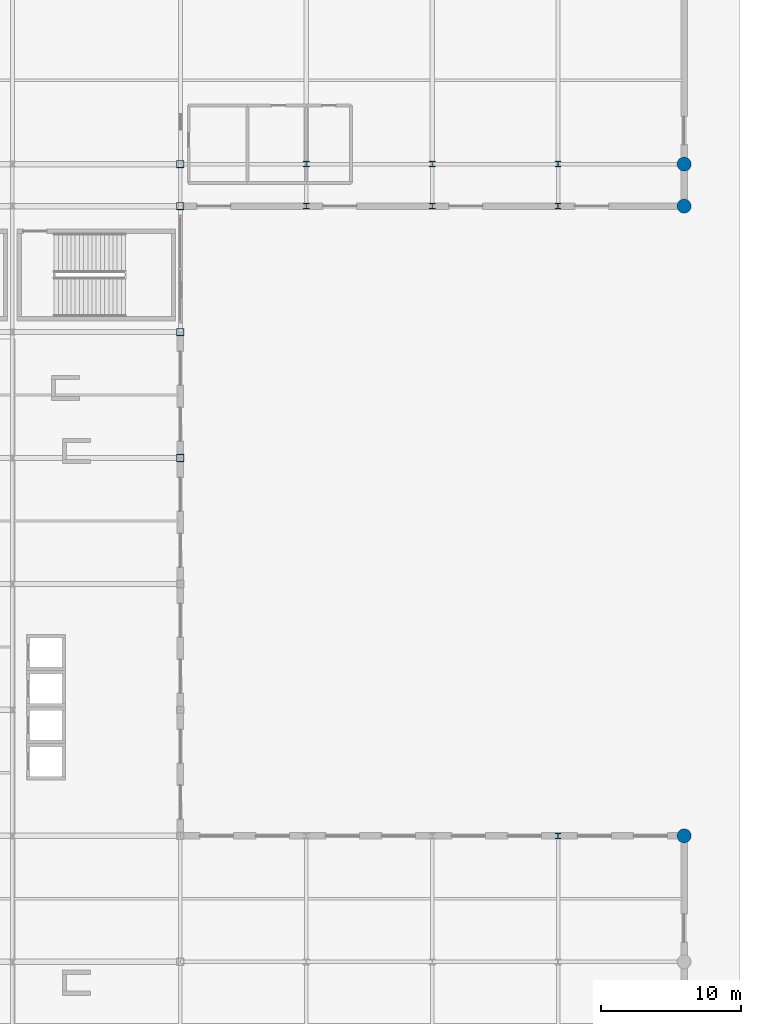
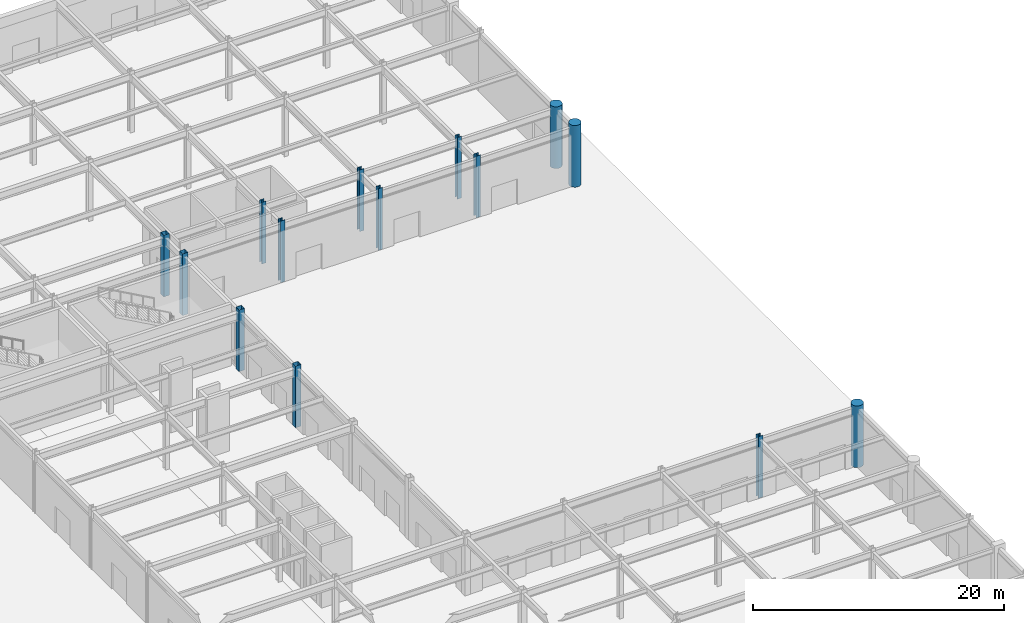
# One storey, part 12 of 44: 14 columns.
"""IFC4 building model written with IfcOpenShell, lengths in metres."""

from ifc_helpers import new_model, si_unit, direction, frame, origin, origin_2d, place, context, subcontext, project, spatial, hollow_rectangle, circle, i_section, extrude, material, material_profile, profile_set, type_object, element, save


model = new_model("IFC4")

# Units and contexts
model_context = context("Model", 3, precision=1e-05, world=origin(), true_north=direction((0.0, 1.0)))
body_context = subcontext(model_context, "Body", "Model", "MODEL_VIEW")
ifc_project = project(units=[si_unit("LENGTHUNIT", "METRE"), si_unit("AREAUNIT", "SQUARE_METRE"), si_unit("VOLUMEUNIT", "CUBIC_METRE"), si_unit("PLANEANGLEUNIT", "RADIAN"), si_unit("MASSUNIT", "GRAM", prefix="KILO")], contexts=[model_context])

# Site, building, storey
site_placement = place(None, origin())
site = spatial("IfcSite", under=ifc_project, at=site_placement, CompositionType="ELEMENT")
building_placement = place(site_placement, origin())
building = spatial("IfcBuilding", under=site, at=building_placement, Name="Kaldorvane Square Convention Centre", CompositionType="ELEMENT")
storey_placement = place(building_placement, origin())
storey = spatial("IfcBuildingStorey", under=building, at=storey_placement, Name="L00", CompositionType="ELEMENT", Elevation=0.0)

# Columns
ifc_material_1 = material(Name="Steel ASTM A500 Gr. C", Category="steel")
ifc_material_profile_1 = material_profile(ifc_material_1, hollow_rectangle(XDim=0.50799560546875, YDim=0.50799560546875, WallThickness=0.014801025390625, at=origin_2d()), Name="HSS20X20X5/8")
ifc_profile_set_1 = profile_set([ifc_material_profile_1], Name="Steel ASTM A500 Gr. C")
column_type_1 = type_object("IfcColumnType", Name="COL-HSS-20", PredefinedType="COLUMN", material=ifc_profile_set_1)
for number, where, z_axis, x_axis, name in (
    (1, (138.0, 63.0, 0.0), (0.0, 0.0, 1.0), (1.0, 0.0, 0.0), "Column SC-13 (L00)"),
    (2, (138.0, 72.0, 0.0), (0.0, 0.0, 1.0), (1.0, 0.0, 0.0), "Column SC-13 (L00)"),
    (3, (138.0, 81.0, 0.0), (0.0, 0.0, 1.0), (1.0, 0.0, 0.0), "Column SC-13 (L00)"),
    (4, (138.0, 84.0, 0.0), (0.0, 0.0, 1.0), (1.0, 0.0, 0.0), "Column SC-13 (L00)"),
):
    element("IfcColumn", number, at=place(storey_placement, frame(where, z_axis=z_axis, x_axis=x_axis)), inside=storey, type_object=column_type_1, Name=name, PredefinedType="COLUMN", context=body_context, shape_type="SweptSolid", body=[
        extrude(hollow_rectangle(XDim=0.50799560546875, YDim=0.50799560546875, WallThickness=0.014801025390625, at=origin_2d()), origin(), (0.0, 0.0, 1.0), 6.0),
    ])
ifc_material_2 = material(Name="Concrete f'c = 55 MPa (Normalweight)", Category="concrete")
ifc_material_profile_2 = material_profile(ifc_material_2, circle(Radius=0.5, at=origin_2d()), Name="RC-D1000")
ifc_profile_set_2 = profile_set([ifc_material_profile_2], Name="Concrete f'c = 55 MPa (Normalweight)")
column_type_2 = type_object("IfcColumnType", Name="COL-RC-D1000", PredefinedType="COLUMN", material=ifc_profile_set_2)
for number, where, z_axis, x_axis, name in (
    (5, (174.0, 36.0, 0.0), (0.0, 0.0, 1.0), (1.0, 0.0, 0.0), "Column CC-08 (L00)"),
    (6, (174.0, 81.0, 0.0), (0.0, 0.0, 1.0), (1.0, 0.0, 0.0), "Column CC-08 (L00)"),
    (7, (174.0, 84.0, 0.0), (0.0, 0.0, 1.0), (1.0, 0.0, 0.0), "Column CC-08 (L00)"),
):
    element("IfcColumn", number, at=place(storey_placement, frame(where, z_axis=z_axis, x_axis=x_axis)), inside=storey, type_object=column_type_2, Name=name, PredefinedType="COLUMN", context=body_context, shape_type="SweptSolid", body=[
        extrude(circle(Radius=0.5, at=origin_2d()), origin(), (0.0, 0.0, 1.0), 6.0),
    ])
ifc_material_3 = material(Name="Steel ASTM A992 Gr. 50", Category="steel")
ifc_material_profile_3 = material_profile(ifc_material_3, i_section(OverallWidth=0.40130615234375, OverallDepth=0.3993072509765625, WebThickness=0.02490234375, FlangeThickness=0.0395965576171875, FilletRadius=0.0305023193359375, at=origin_2d()), Name="W14X211")
ifc_profile_set_3 = profile_set([ifc_material_profile_3], Name="Steel ASTM A992 Gr. 50")
column_type_3 = type_object("IfcColumnType", Name="COL-STL-211", PredefinedType="COLUMN", material=ifc_profile_set_3)
for number, where, z_axis, x_axis, name in (
    (8, (147.0, 81.0, 0.0), (0.0, 0.0, 1.0), (1.0, 0.0, 0.0), "Column SC-08 (L00)"),
    (9, (147.0, 84.0, 0.0), (0.0, 0.0, 1.0), (1.0, 0.0, 0.0), "Column SC-08 (L00)"),
    (10, (156.0, 81.0, 0.0), (0.0, 0.0, 1.0), (1.0, 0.0, 0.0), "Column SC-08 (L00)"),
    (11, (156.0, 84.0, 0.0), (0.0, 0.0, 1.0), (1.0, 0.0, 0.0), "Column SC-08 (L00)"),
    (12, (165.0, 36.0, 0.0), (0.0, 0.0, 1.0), (1.0, 0.0, 0.0), "Column SC-08 (L00)"),
    (13, (165.0, 81.0, 0.0), (0.0, 0.0, 1.0), (1.0, 0.0, 0.0), "Column SC-08 (L00)"),
    (14, (165.0, 84.0, 0.0), (0.0, 0.0, 1.0), (1.0, 0.0, 0.0), "Column SC-08 (L00)"),
):
    element("IfcColumn", number, at=place(storey_placement, frame(where, z_axis=z_axis, x_axis=x_axis)), inside=storey, type_object=column_type_3, Name=name, PredefinedType="COLUMN", context=body_context, shape_type="SweptSolid", body=[
        extrude(i_section(OverallWidth=0.40130615234375, OverallDepth=0.3993072509765625, WebThickness=0.02490234375, FlangeThickness=0.0395965576171875, FilletRadius=0.0305023193359375, at=origin_2d()), origin(), (0.0, 0.0, 1.0), 6.0),
    ])

save(model, "model.ifc")
